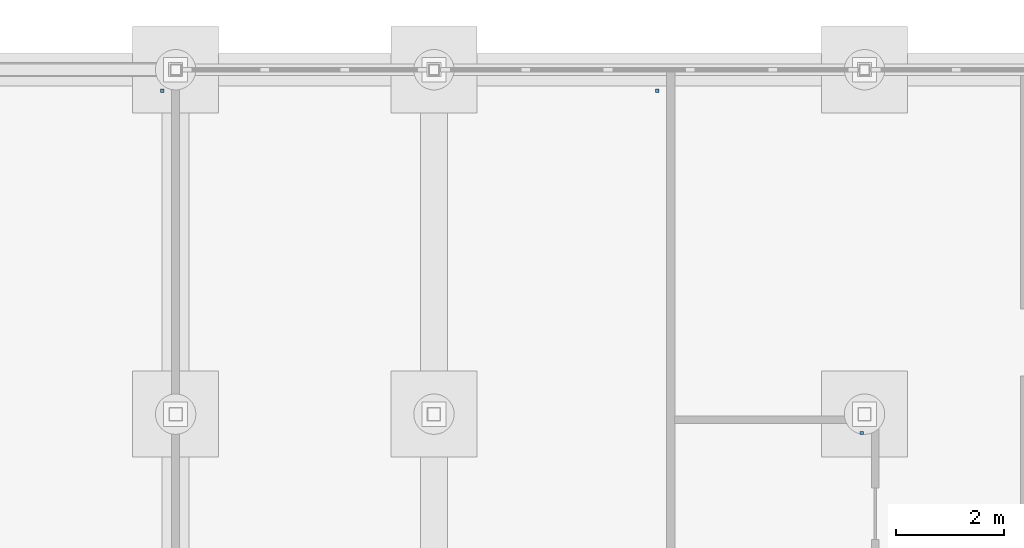
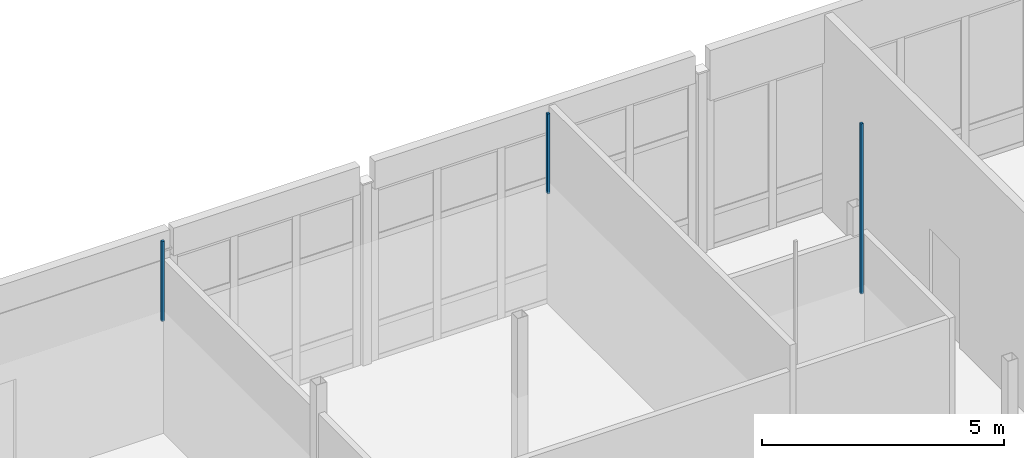
# One storey, part 79 of 111: 3 discrete accessories.
"""IFC4 building model written with IfcOpenShell, lengths in metres."""

import ifcopenshell
import ifcopenshell.guid

model = None  # the IFC model being written
_history = None  # IfcOwnerHistory: only IFC2X3 demands one
_inside = {}  # id of a spatial element -> (the spatial element, [elements in it])
_under = {}  # id of a project, library or spatial element -> (it, [spatial elements below it])
_declared = {}  # id of a project -> (the project, [libraries it declares])
_typed = {}  # id of a type object -> (the type object, [elements of that type])
_made_of = {}  # id of a material, layer set ... -> (it, [elements and type objects made of it])


def new_model(schema):
    """Start an empty IFC model of exactly this schema.

    Asked for "IFC4X3", IfcOpenShell would pick the latest addendum, in which some entities
    have other attributes; the version numbers below select the first issue.
    IFC2X3 requires an IfcOwnerHistory on every rooted entity: one is made here for all.
    """
    global model, _history
    if schema == "IFC4X3":
        model = ifcopenshell.file(schema_version=(4, 3, 0, 0))
    else:
        model = ifcopenshell.file(schema=schema)
    _inside.clear()
    _under.clear()
    _declared.clear()
    _typed.clear()
    _made_of.clear()
    _history = None
    if model.schema == "IFC2X3":
        org = make("IfcOrganization", Name="unknown")
        user = make(
            "IfcPersonAndOrganization",
            ThePerson=make("IfcPerson", FamilyName="unknown"),
            TheOrganization=org,
        )
        app = make(
            "IfcApplication",
            ApplicationDeveloper=org,
            Version="unknown",
            ApplicationFullName="unknown",
            ApplicationIdentifier="unknown",
        )
        _history = make(
            "IfcOwnerHistory",
            OwningUser=user,
            OwningApplication=app,
            ChangeAction="ADDED",
            CreationDate=0,
        )
    return model


def make(cls, **values):
    """One entity of the class cls with the attributes given. An attribute that is None is left unset."""
    return model.create_entity(
        cls, **{name: value for name, value in values.items() if value is not None}
    )


def rooted(cls, **values):
    """An entity with a GlobalId (a new one), such as an element, a storey or a relation."""
    return make(cls, GlobalId=ifcopenshell.guid.new(), OwnerHistory=_history, **values)


def si_unit(unit_type, name, prefix=None):
    """IfcSIUnit, for example si_unit("LENGTHUNIT", "METRE", prefix="MILLI")."""
    return make("IfcSIUnit", UnitType=unit_type, Prefix=prefix, Name=name)


def assignment(units):
    """IfcUnitAssignment: the units of a project."""
    return None if units is None else make("IfcUnitAssignment", Units=units)


def point(xyz):
    """IfcCartesianPoint."""
    return None if xyz is None else make("IfcCartesianPoint", Coordinates=xyz)


def direction(xyz):
    """IfcDirection."""
    return None if xyz is None else make("IfcDirection", DirectionRatios=xyz)


def frame(location, z_axis=None, x_axis=None):
    """IfcAxis2Placement3D, a coordinate frame: its origin and axes. An axis left out is left unset."""
    return make(
        "IfcAxis2Placement3D",
        Location=point(location),
        Axis=direction(z_axis),
        RefDirection=direction(x_axis),
    )


def origin():
    """The frame at (0, 0, 0) with its axes left unset."""
    return frame((0.0, 0.0, 0.0))


def place(relative_to, where):
    """IfcLocalPlacement: puts the frame where relative to a parent placement (None: the world)."""
    return make(
        "IfcLocalPlacement", PlacementRelTo=relative_to, RelativePlacement=where
    )


def context(
    kind, dimensions, precision=None, world=None, true_north=None, identifier=None
):
    """IfcGeometricRepresentationContext, for example the 3D "Model" context."""
    return make(
        "IfcGeometricRepresentationContext",
        ContextIdentifier=identifier,
        ContextType=kind,
        CoordinateSpaceDimension=dimensions,
        Precision=precision,
        WorldCoordinateSystem=world,
        TrueNorth=true_north,
    )


def subcontext(parent, identifier, kind, view, scale=None):
    """IfcGeometricRepresentationSubContext, for example "Body" below "Model"."""
    return make(
        "IfcGeometricRepresentationSubContext",
        ContextIdentifier=identifier,
        ContextType=kind,
        ParentContext=parent,
        TargetScale=scale,
        TargetView=view,
    )


def project(units=None, contexts=None):
    """IfcProject with its units and contexts."""
    return rooted(
        "IfcProject",
        Name="project",
        RepresentationContexts=contexts,
        UnitsInContext=assignment(units),
    )


def spatial(cls, under=None, at=None, **own):
    """A site, building, storey or space (cls), placed at a placement, below another one or the project."""
    s = rooted(cls, ObjectPlacement=at, **own)
    if under is not None:
        _under.setdefault(under.id(), (under, []))[1].append(s)
    return s


def polyline(points):
    """IfcPolyline through the points."""
    return make("IfcPolyline", Points=[point(p) for p in points])


def outline(outer, holes=None, kind="AREA"):
    """IfcArbitraryClosedProfileDef: a profile drawn as a closed curve; with holes, ...WithVoids."""
    if holes is None:
        return make("IfcArbitraryClosedProfileDef", ProfileType=kind, OuterCurve=outer)
    return make(
        "IfcArbitraryProfileDefWithVoids",
        ProfileType=kind,
        OuterCurve=outer,
        InnerCurves=holes,
    )


def extrude(swept, where, along, depth):
    """IfcExtrudedAreaSolid: the profile swept, set in the frame where, extruded along a direction by depth."""
    return make(
        "IfcExtrudedAreaSolid",
        SweptArea=swept,
        Position=where,
        ExtrudedDirection=direction(along),
        Depth=depth,
    )


def shape(context_of_items, identifier, shape_type, items):
    """IfcShapeRepresentation: the items that make up one representation, for example the "Body"."""
    return make(
        "IfcShapeRepresentation",
        ContextOfItems=context_of_items,
        RepresentationIdentifier=identifier,
        RepresentationType=shape_type,
        Items=items,
    )


def material(Name=None, Category=None):
    """IfcMaterial."""
    return make("IfcMaterial", Name=Name, Category=Category)


def made_of(thing, what):
    """Note that an element or type object is made of a material, layer set ...; save() writes the relation."""
    if what is not None:
        _made_of.setdefault(what.id(), (what, []))[1].append(thing)
    return thing


def type_object(cls, material=None, **own):
    """A type object (cls), such as IfcWallType, which elements share."""
    return made_of(rooted(cls, **own), material)


def element(
    cls,
    number,
    at=None,
    inside=None,
    cuts=None,
    type_object=None,
    material=None,
    context=None,
    identifier="Body",
    shape_type=None,
    held_by="IfcProductDefinitionShape",
    body=None,
    shapes=None,
    **own,
):
    """One element of the class cls, such as IfcWall. Its Tag is "e" and its number.

    at: its placement. inside: the storey or other place that contains it. cuts: it is an
    opening in that element (IfcRelVoidsElement). A single representation is given by context,
    identifier, shape_type and body (its items); several are given by shapes. held_by: the class
    of the entity that holds the representations. save() writes the other relations.
    """
    e = rooted(cls, Tag="e%d" % number, ObjectPlacement=at, **own)
    if body is not None:
        shapes = [shape(context, identifier, shape_type, body)]
    if shapes is not None:
        e.Representation = make(held_by, Representations=shapes)
    if inside is not None:
        _inside.setdefault(inside.id(), (inside, []))[1].append(e)
    if cuts is not None:
        rooted(
            "IfcRelVoidsElement", RelatingBuildingElement=cuts, RelatedOpeningElement=e
        )
    if type_object is not None:
        _typed.setdefault(type_object.id(), (type_object, []))[1].append(e)
    return made_of(e, material)


def aggregate(whole, parts):
    """IfcRelAggregates: a whole, such as a stair, and the parts it consists of."""
    return rooted("IfcRelAggregates", RelatingObject=whole, RelatedObjects=parts)


def save(model, path):
    """Write the relations noted so far, then the file.

    IfcRelAggregates (storeys below a building ...), IfcRelContainedInSpatialStructure (elements
    in a storey), IfcRelDefinesByType, IfcRelAssociatesMaterial and IfcRelDeclares: one each for
    every whole, place, type object, material and project.
    """
    for whole, parts in _under.values():
        aggregate(whole, parts)
    for where, things in _inside.values():
        rooted(
            "IfcRelContainedInSpatialStructure",
            RelatedElements=things,
            RelatingStructure=where,
        )
    for kind, things in _typed.values():
        rooted("IfcRelDefinesByType", RelatedObjects=things, RelatingType=kind)
    for what, things in _made_of.values():
        rooted("IfcRelAssociatesMaterial", RelatedObjects=things, RelatingMaterial=what)
    for by, libraries in _declared.values():
        rooted("IfcRelDeclares", RelatingContext=by, RelatedDefinitions=libraries)
    model.write(path)


model = new_model("IFC4")

# Units and contexts
model_context = context("Model", 3, precision=1e-05, world=origin(), true_north=direction((0.0, 1.0)))
body_context = subcontext(model_context, "Body", "Model", "MODEL_VIEW")
ifc_project = project(units=[si_unit("LENGTHUNIT", "METRE"), si_unit("AREAUNIT", "SQUARE_METRE"), si_unit("VOLUMEUNIT", "CUBIC_METRE"), si_unit("PLANEANGLEUNIT", "RADIAN"), si_unit("MASSUNIT", "GRAM", prefix="KILO")], contexts=[model_context])

# Site, building, storey
site_placement = place(None, origin())
site = spatial("IfcSite", under=ifc_project, at=site_placement, CompositionType="ELEMENT")
building_placement = place(site_placement, origin())
building = spatial("IfcBuilding", under=site, at=building_placement, Name="Dunescarp Central Library", CompositionType="ELEMENT")
storey_placement = place(building_placement, origin())
storey = spatial("IfcBuildingStorey", under=building, at=storey_placement, Name="L00", CompositionType="ELEMENT", Elevation=0.0)

# Discrete accessories
ifc_material = material(Name="Stainless steel Grade 316L", Category="steel")
discrete_accessory_type = type_object("IfcDiscreteAccessoryType", Name="ARC-ACC-BRK", PredefinedType="BRACKET", material=ifc_material)
discrete_accessory_1_placement = place(storey_placement, frame((0.0, 0.0, 3.06005859375)))
element("IfcDiscreteAccessory", 1, at=discrete_accessory_1_placement, inside=storey, type_object=discrete_accessory_type, Name="L00 ceiling hanger CLG-L00-156-H2", PredefinedType="BRACKET", context=body_context, shape_type="SweptSolid", body=[
    extrude(outline(polyline([(76.52001953125, 49.179931640625), (76.580078125, 49.179931640625), (76.580078125, 49.239990234375), (76.52001953125, 49.239990234375), (76.52001953125, 49.179931640625)])), origin(), (0.0, 0.0, 1.0), 2.015869140625),
])
discrete_accessory_2_placement = place(storey_placement, frame((0.0, 0.0, 3.06005859375)))
element("IfcDiscreteAccessory", 2, at=discrete_accessory_2_placement, inside=storey, type_object=discrete_accessory_type, Name="L00 ceiling hanger CLG-L00-157-H2", PredefinedType="BRACKET", context=body_context, shape_type="SweptSolid", body=[
    extrude(outline(polyline([(85.719970703125, 49.179931640625), (85.780029296875, 49.179931640625), (85.780029296875, 49.239990234375), (85.719970703125, 49.239990234375), (85.719970703125, 49.179931640625)])), origin(), (0.0, 0.0, 1.0), 2.015869140625),
])
discrete_accessory_3_placement = place(storey_placement, frame((0.0, 0.0, 3.06005859375)))
element("IfcDiscreteAccessory", 3, at=discrete_accessory_3_placement, inside=storey, type_object=discrete_accessory_type, Name="L00 ceiling hanger CLG-L00-158-H2", PredefinedType="BRACKET", context=body_context, shape_type="SweptSolid", body=[
    extrude(outline(polyline([(89.52001953125, 42.820068359375), (89.580078125, 42.820068359375), (89.580078125, 42.8798828125), (89.52001953125, 42.8798828125), (89.52001953125, 42.820068359375)])), origin(), (0.0, 0.0, 1.0), 4.2919921875),
])

save(model, "model.ifc")
